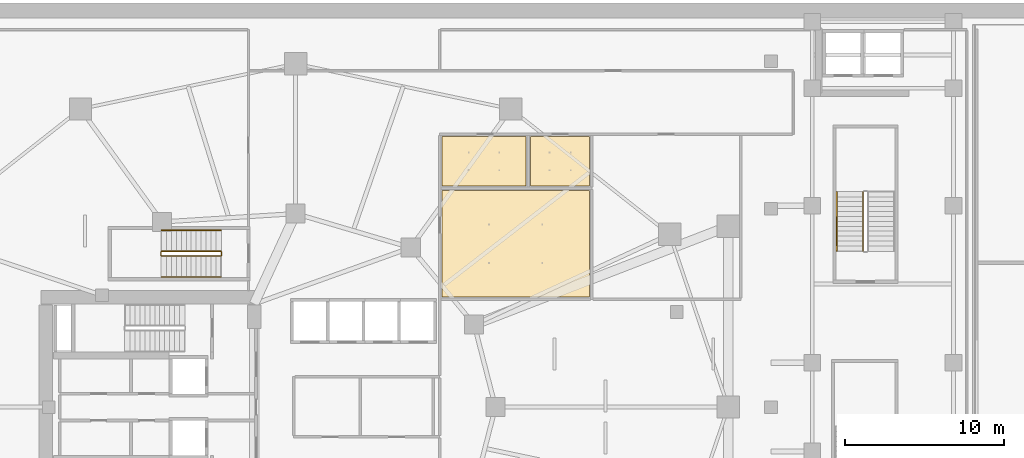
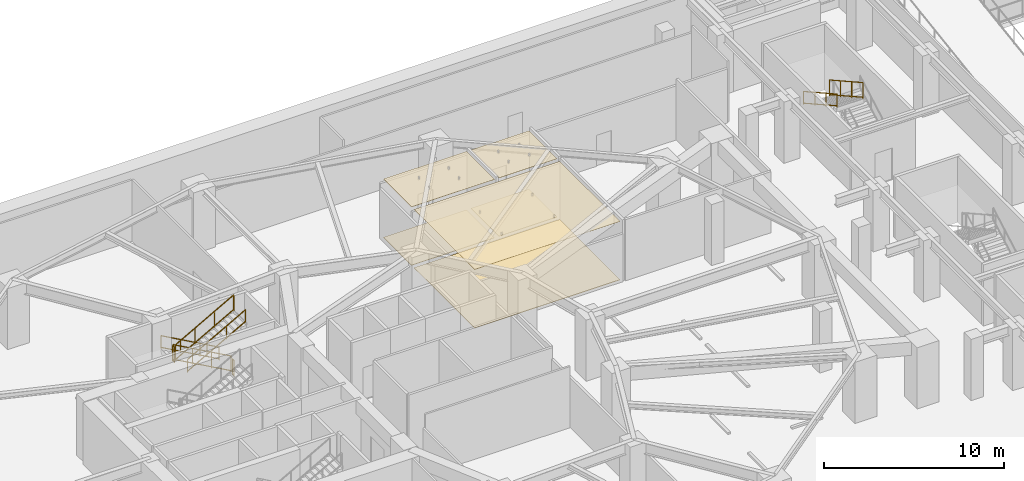
# One storey, part 14 of 16: 8 railings, 6 coverings.
"""IFC4 building model written with IfcOpenShell, lengths in metres."""

from ifc_helpers import new_model, si_unit, direction, frame, origin, origin_2d, place, context, subcontext, project, spatial, polyline, rectangle, outline, extrude, material, layer, layer_set, type_object, element, save


model = new_model("IFC4")

# Units and contexts
model_context = context("Model", 3, precision=1e-05, world=origin(), true_north=direction((0.0, 1.0)))
body_context = subcontext(model_context, "Body", "Model", "MODEL_VIEW")
ifc_project = project(units=[si_unit("LENGTHUNIT", "METRE"), si_unit("AREAUNIT", "SQUARE_METRE"), si_unit("VOLUMEUNIT", "CUBIC_METRE"), si_unit("PLANEANGLEUNIT", "RADIAN"), si_unit("MASSUNIT", "GRAM", prefix="KILO")], contexts=[model_context])

# Site, building, storey
site_placement = place(None, origin())
site = spatial("IfcSite", under=ifc_project, at=site_placement, CompositionType="ELEMENT")
building_placement = place(site_placement, origin())
building = spatial("IfcBuilding", under=site, at=building_placement, Name="Kolvaren Gate Tower and Convention Centre", CompositionType="ELEMENT")
storey_placement = place(building_placement, frame((0.0, 0.0, -4.5)))
storey = spatial("IfcBuildingStorey", under=building, at=storey_placement, Name="B1", CompositionType="ELEMENT", Elevation=-4.5)

# Coverings
ifc_material_1 = material(Name="Perforated Mineral-Fibre Acoustic Ceiling Tile 18 mm", Category="gypsum")
ifc_layer_1 = layer(ifc_material_1, 0.01806640625)
ifc_layer_set_1 = layer_set([ifc_layer_1], Name="Perforated Mineral-Fibre Acoustic Ceiling Tile 18 mm")
covering_type_1 = type_object("IfcCoveringType", Name="ARCH-COV-CEIL-18", PredefinedType="CEILING", material=ifc_layer_set_1)
covering_1_placement = place(storey_placement, frame((0.0, 0.0, 3.9599609375)))
element("IfcCovering", 1, at=covering_1_placement, inside=storey, type_object=covering_type_1, Name="Commuter Bicycle Storage Room Acoustic Suspended Ceiling", PredefinedType="CEILING", context=body_context, shape_type="SweptSolid", body=[
    extrude(outline(polyline([(39.340087890625, 33.93994140625), (39.340087890625, 40.659912109375), (48.659912109375, 40.659912109375), (48.659912109375, 33.93994140625), (39.340087890625, 33.93994140625)])), origin(), (0.0, 0.0, 1.0), 0.01806640625),
])
covering_2_placement = place(storey_placement, frame((0.0, 0.0, 3.9599609375)))
element("IfcCovering", 2, at=covering_2_placement, inside=storey, type_object=covering_type_1, Name="Commuter Changing and Shower Room Acoustic Suspended Ceiling", PredefinedType="CEILING", context=body_context, shape_type="SweptSolid", body=[
    extrude(outline(polyline([(39.340087890625, 40.93994140625), (39.340087890625, 44.06005859375), (44.659912109375, 44.06005859375), (44.659912109375, 40.93994140625), (39.340087890625, 40.93994140625)])), origin(), (0.0, 0.0, 1.0), 0.01806640625),
])
covering_3_placement = place(storey_placement, frame((0.0, 0.0, 3.9599609375)))
element("IfcCovering", 3, at=covering_3_placement, inside=storey, type_object=covering_type_1, Name="Cyclist Helmet and Gear Drying Room Acoustic Suspended Ceiling", PredefinedType="CEILING", context=body_context, shape_type="SweptSolid", body=[
    extrude(outline(polyline([(44.93994140625, 40.93994140625), (44.93994140625, 44.06005859375), (48.659912109375, 44.06005859375), (48.659912109375, 40.93994140625), (44.93994140625, 40.93994140625)])), origin(), (0.0, 0.0, 1.0), 0.01806640625),
])
ifc_material_2 = material(Name="Honed Sabana Limestone Terrazzo Flooring 30 mm", Category="masonry")
ifc_layer_2 = layer(ifc_material_2, 0.030029296875)
ifc_layer_set_2 = layer_set([ifc_layer_2], Name="Honed Sabana Limestone Terrazzo Flooring 30 mm")
covering_type_2 = type_object("IfcCoveringType", Name="ARCH-COV-FLR-30", PredefinedType="FLOORING", material=ifc_layer_set_2)
covering_4_placement = place(storey_placement, origin())
element("IfcCovering", 4, at=covering_4_placement, inside=storey, type_object=covering_type_2, Name="Commuter Bicycle Storage Room Interior Finish Flooring", PredefinedType="FLOORING", context=body_context, shape_type="SweptSolid", body=[
    extrude(outline(polyline([(39.340087890625, 33.93994140625), (39.340087890625, 40.659912109375), (48.659912109375, 40.659912109375), (48.659912109375, 33.93994140625), (39.340087890625, 33.93994140625)])), origin(), (0.0, 0.0, 1.0), 0.030029296875),
])
covering_5_placement = place(storey_placement, origin())
element("IfcCovering", 5, at=covering_5_placement, inside=storey, type_object=covering_type_2, Name="Commuter Changing and Shower Room Interior Finish Flooring", PredefinedType="FLOORING", context=body_context, shape_type="SweptSolid", body=[
    extrude(outline(polyline([(39.340087890625, 40.93994140625), (39.340087890625, 44.06005859375), (44.659912109375, 44.06005859375), (44.659912109375, 40.93994140625), (39.340087890625, 40.93994140625)])), origin(), (0.0, 0.0, 1.0), 0.030029296875),
])
covering_6_placement = place(storey_placement, origin())
element("IfcCovering", 6, at=covering_6_placement, inside=storey, type_object=covering_type_2, Name="Cyclist Helmet and Gear Drying Room Interior Finish Flooring", PredefinedType="FLOORING", context=body_context, shape_type="SweptSolid", body=[
    extrude(outline(polyline([(44.93994140625, 40.93994140625), (44.93994140625, 44.06005859375), (48.659912109375, 44.06005859375), (48.659912109375, 40.93994140625), (44.93994140625, 40.93994140625)])), origin(), (0.0, 0.0, 1.0), 0.030029296875),
])

# Railings
ifc_material_3 = material(Name="Brushed Stainless Steel Grade 316L", Category="steel")
railing_type_1 = type_object("IfcRailingType", Name="ARCH-RL-GUARD-1150", PredefinedType="GUARDRAIL", material=ifc_material_3)
railing_1_placement = place(storey_placement, frame((25.39990234375, 36.830078125, 0.173095703125)))
element("IfcRailing", 7, at=railing_1_placement, inside=storey, type_object=railing_type_1, Name="B1 ST-T3 stair guard 1", PredefinedType="GUARDRAIL", context=body_context, shape_type="SweptSolid", body=[
    extrude(rectangle(XDim=0.048095703125, YDim=0.048095703125, at=origin_2d()), frame((0.0, 0.0, 1.076171875), z_axis=(-0.873133609054, 0.0, 0.487480974747), x_axis=(0.0, -1.0, 0.0)), (0.0, 0.0, 1.0), 4.260498046875),
    extrude(rectangle(XDim=0.048095703125, YDim=0.048095703125, at=origin_2d()), frame((0.0, 0.0, 0.083984375), z_axis=(-0.873133609054, 0.0, 0.487480974747), x_axis=(0.0, -1.0, 0.0)), (0.0, 0.0, 1.0), 4.260498046875),
    extrude(rectangle(XDim=0.0419921875, YDim=0.0419921875, at=origin_2d()), origin(), (0.0, 0.0, 1.0), 1.050048828125),
    extrude(rectangle(XDim=0.0419921875, YDim=0.0419921875, at=origin_2d()), frame((-3.719970703125, 0.0, 2.076904296875)), (0.0, 0.0, 1.0), 1.050048828125),
    extrude(rectangle(XDim=0.0419921875, YDim=0.0419921875, at=origin_2d()), frame((-1.239990234375, 0.0, 0.6923828125)), (0.0, 0.0, 1.0), 1.050048828125),
    extrude(rectangle(XDim=0.0419921875, YDim=0.0419921875, at=origin_2d()), frame((-2.47998046875, 0.0, 1.384521484375)), (0.0, 0.0, 1.0), 1.050048828125),
])
railing_2_placement = place(storey_placement, frame((21.6298828125, 36.780029296875, 2.25)))
element("IfcRailing", 8, at=railing_2_placement, inside=storey, type_object=railing_type_1, Name="B1 ST-T3 stair guard 2", PredefinedType="GUARDRAIL", context=body_context, shape_type="SweptSolid", body=[
    extrude(rectangle(XDim=0.048095703125, YDim=0.048095703125, at=origin_2d()), frame((0.0, 0.0, 1.076171875), z_axis=(0.0, -1.0, 0.0), x_axis=(1.0, 0.0, 0.0)), (0.0, 0.0, 1.0), 0.199951171875),
    extrude(rectangle(XDim=0.048095703125, YDim=0.048095703125, at=origin_2d()), frame((0.0, 0.0, 0.083984375), z_axis=(0.0, -1.0, 0.0), x_axis=(1.0, 0.0, 0.0)), (0.0, 0.0, 1.0), 0.199951171875),
    extrude(rectangle(XDim=0.0419921875, YDim=0.0419921875, at=origin_2d()), origin(), (0.0, 0.0, 1.0), 1.050048828125),
    extrude(rectangle(XDim=0.0419921875, YDim=0.0419921875, at=origin_2d()), frame((0.0, -0.199951171875, 0.0)), (0.0, 0.0, 1.0), 1.050048828125),
])
railing_3_placement = place(storey_placement, frame((21.679931640625, 36.530029296875, 2.423095703125)))
element("IfcRailing", 9, at=railing_3_placement, inside=storey, type_object=railing_type_1, Name="B1 ST-T3 stair guard 3", PredefinedType="GUARDRAIL", context=body_context, shape_type="SweptSolid", body=[
    extrude(rectangle(XDim=0.048095703125, YDim=0.048095703125, at=origin_2d()), frame((0.0, 0.0, 1.076171875), z_axis=(0.873133609054, 0.0, 0.487480974747), x_axis=(0.0, 1.0, 0.0)), (0.0, 0.0, 1.0), 4.260498046875),
    extrude(rectangle(XDim=0.048095703125, YDim=0.048095703125, at=origin_2d()), frame((0.0, 0.0, 0.083984375), z_axis=(0.873133609054, 0.0, 0.487480974747), x_axis=(0.0, 1.0, 0.0)), (0.0, 0.0, 1.0), 4.260498046875),
    extrude(rectangle(XDim=0.0419921875, YDim=0.0419921875, at=origin_2d()), origin(), (0.0, 0.0, 1.0), 1.050048828125),
    extrude(rectangle(XDim=0.0419921875, YDim=0.0419921875, at=origin_2d()), frame((3.719970703125, 0.0, 2.076904296875)), (0.0, 0.0, 1.0), 1.050048828125),
    extrude(rectangle(XDim=0.0419921875, YDim=0.0419921875, at=origin_2d()), frame((1.239990234375, 0.0, 0.6923828125)), (0.0, 0.0, 1.0), 1.050048828125),
    extrude(rectangle(XDim=0.0419921875, YDim=0.0419921875, at=origin_2d()), frame((2.47998046875, 0.0, 1.384521484375)), (0.0, 0.0, 1.0), 1.050048828125),
])
railing_4_placement = place(storey_placement, frame((25.449951171875, 36.780029296875, 0.0)))
element("IfcRailing", 10, at=railing_4_placement, inside=storey, type_object=railing_type_1, Name="B1 ST-T3 stair guard 4", PredefinedType="GUARDRAIL", context=body_context, shape_type="SweptSolid", body=[
    extrude(rectangle(XDim=0.048095703125, YDim=0.048095703125, at=origin_2d()), frame((0.0, 0.0, 1.076171875), z_axis=(0.0, -1.0, 0.0), x_axis=(1.0, 0.0, 0.0)), (0.0, 0.0, 1.0), 0.199951171875),
    extrude(rectangle(XDim=0.048095703125, YDim=0.048095703125, at=origin_2d()), frame((0.0, 0.0, 0.083984375), z_axis=(0.0, -1.0, 0.0), x_axis=(1.0, 0.0, 0.0)), (0.0, 0.0, 1.0), 0.199951171875),
    extrude(rectangle(XDim=0.0419921875, YDim=0.0419921875, at=origin_2d()), origin(), (0.0, 0.0, 1.0), 1.050048828125),
    extrude(rectangle(XDim=0.0419921875, YDim=0.0419921875, at=origin_2d()), frame((0.0, -0.199951171875, 0.0)), (0.0, 0.0, 1.0), 1.050048828125),
])
railing_5_placement = place(storey_placement, frame((65.89990234375, 40.570068359375, 2.423095703125)))
element("IfcRailing", 11, at=railing_5_placement, inside=storey, type_object=railing_type_1, Name="B1 ST-C1 stair guard 3", PredefinedType="GUARDRAIL", context=body_context, shape_type="SweptSolid", body=[
    extrude(rectangle(XDim=0.048095703125, YDim=0.048095703125, at=origin_2d()), frame((0.0, 0.0, 1.076171875), z_axis=(0.0, -0.873133609054, 0.487480974747), x_axis=(1.0, 0.0, 0.0)), (0.0, 0.0, 1.0), 4.260498046875),
    extrude(rectangle(XDim=0.048095703125, YDim=0.048095703125, at=origin_2d()), frame((0.0, 0.0, 0.083984375), z_axis=(0.0, -0.873133609054, 0.487480974747), x_axis=(1.0, 0.0, 0.0)), (0.0, 0.0, 1.0), 4.260498046875),
    extrude(rectangle(XDim=0.0419921875, YDim=0.0419921875, at=origin_2d()), origin(), (0.0, 0.0, 1.0), 1.050048828125),
    extrude(rectangle(XDim=0.0419921875, YDim=0.0419921875, at=origin_2d()), frame((0.0, -3.719970703125, 2.076904296875)), (0.0, 0.0, 1.0), 1.050048828125),
    extrude(rectangle(XDim=0.0419921875, YDim=0.0419921875, at=origin_2d()), frame((0.0, -1.239990234375, 0.6923828125)), (0.0, 0.0, 1.0), 1.050048828125),
    extrude(rectangle(XDim=0.0419921875, YDim=0.0419921875, at=origin_2d()), frame((0.0, -2.47998046875, 1.384521484375)), (0.0, 0.0, 1.0), 1.050048828125),
])
railing_type_2 = type_object("IfcRailingType", Name="ARCH-RL-HANDRAIL-920", PredefinedType="HANDRAIL", material=ifc_material_3)
railing_6_placement = place(storey_placement, frame((25.39990234375, 38.14990234375, 0.173095703125)))
element("IfcRailing", 12, at=railing_6_placement, inside=storey, type_object=railing_type_2, Name="B1 ST-T3 stair handrail 1", PredefinedType="HANDRAIL", context=body_context, shape_type="SweptSolid", body=[
    extrude(rectangle(XDim=0.048095703125, YDim=0.048095703125, at=origin_2d()), frame((0.0, 0.0, 0.8759765625), z_axis=(-0.873133609054, 0.0, 0.487480974747), x_axis=(0.0, -1.0, 0.0)), (0.0, 0.0, 1.0), 4.260498046875),
    extrude(rectangle(XDim=0.048095703125, YDim=0.048095703125, at=origin_2d()), frame((0.0, 0.0, 0.083984375), z_axis=(-0.873133609054, 0.0, 0.487480974747), x_axis=(0.0, -1.0, 0.0)), (0.0, 0.0, 1.0), 4.260498046875),
    extrude(rectangle(XDim=0.0419921875, YDim=0.0419921875, at=origin_2d()), origin(), (0.0, 0.0, 1.0), 0.849853515625),
    extrude(rectangle(XDim=0.0419921875, YDim=0.0419921875, at=origin_2d()), frame((-3.719970703125, 0.0, 2.076904296875)), (0.0, 0.0, 1.0), 0.849853515625),
    extrude(rectangle(XDim=0.0419921875, YDim=0.0419921875, at=origin_2d()), frame((-1.239990234375, 0.0, 0.6923828125)), (0.0, 0.0, 1.0), 0.849853515625),
    extrude(rectangle(XDim=0.0419921875, YDim=0.0419921875, at=origin_2d()), frame((-2.47998046875, 0.0, 1.384521484375)), (0.0, 0.0, 1.0), 0.849853515625),
])
railing_7_placement = place(storey_placement, frame((21.679931640625, 35.2099609375, 2.423095703125)))
element("IfcRailing", 13, at=railing_7_placement, inside=storey, type_object=railing_type_2, Name="B1 ST-T3 stair handrail 2", PredefinedType="HANDRAIL", context=body_context, shape_type="SweptSolid", body=[
    extrude(rectangle(XDim=0.048095703125, YDim=0.048095703125, at=origin_2d()), frame((0.0, 0.0, 0.8759765625), z_axis=(0.873133609054, 0.0, 0.487480974747), x_axis=(0.0, 1.0, 0.0)), (0.0, 0.0, 1.0), 4.260498046875),
    extrude(rectangle(XDim=0.048095703125, YDim=0.048095703125, at=origin_2d()), frame((0.0, 0.0, 0.083984375), z_axis=(0.873133609054, 0.0, 0.487480974747), x_axis=(0.0, 1.0, 0.0)), (0.0, 0.0, 1.0), 4.260498046875),
    extrude(rectangle(XDim=0.0419921875, YDim=0.0419921875, at=origin_2d()), origin(), (0.0, 0.0, 1.0), 0.849853515625),
    extrude(rectangle(XDim=0.0419921875, YDim=0.0419921875, at=origin_2d()), frame((3.719970703125, 0.0, 2.076904296875)), (0.0, 0.0, 1.0), 0.849853515625),
    extrude(rectangle(XDim=0.0419921875, YDim=0.0419921875, at=origin_2d()), frame((1.239990234375, 0.0, 0.6923828125)), (0.0, 0.0, 1.0), 0.849853515625),
    extrude(rectangle(XDim=0.0419921875, YDim=0.0419921875, at=origin_2d()), frame((2.47998046875, 0.0, 1.384521484375)), (0.0, 0.0, 1.0), 0.849853515625),
])
railing_8_placement = place(storey_placement, frame((64.25, 40.570068359375, 2.423095703125)))
element("IfcRailing", 14, at=railing_8_placement, inside=storey, type_object=railing_type_2, Name="B1 ST-C1 stair handrail 2", PredefinedType="HANDRAIL", context=body_context, shape_type="SweptSolid", body=[
    extrude(rectangle(XDim=0.048095703125, YDim=0.048095703125, at=origin_2d()), frame((0.0, 0.0, 0.8759765625), z_axis=(0.0, -0.873133609054, 0.487480974747), x_axis=(1.0, 0.0, 0.0)), (0.0, 0.0, 1.0), 4.260498046875),
    extrude(rectangle(XDim=0.048095703125, YDim=0.048095703125, at=origin_2d()), frame((0.0, 0.0, 0.083984375), z_axis=(0.0, -0.873133609054, 0.487480974747), x_axis=(1.0, 0.0, 0.0)), (0.0, 0.0, 1.0), 4.260498046875),
    extrude(rectangle(XDim=0.0419921875, YDim=0.0419921875, at=origin_2d()), origin(), (0.0, 0.0, 1.0), 0.849853515625),
    extrude(rectangle(XDim=0.0419921875, YDim=0.0419921875, at=origin_2d()), frame((0.0, -3.719970703125, 2.076904296875)), (0.0, 0.0, 1.0), 0.849853515625),
    extrude(rectangle(XDim=0.0419921875, YDim=0.0419921875, at=origin_2d()), frame((0.0, -1.239990234375, 0.6923828125)), (0.0, 0.0, 1.0), 0.849853515625),
    extrude(rectangle(XDim=0.0419921875, YDim=0.0419921875, at=origin_2d()), frame((0.0, -2.47998046875, 1.384521484375)), (0.0, 0.0, 1.0), 0.849853515625),
])

save(model, "model.ifc")
